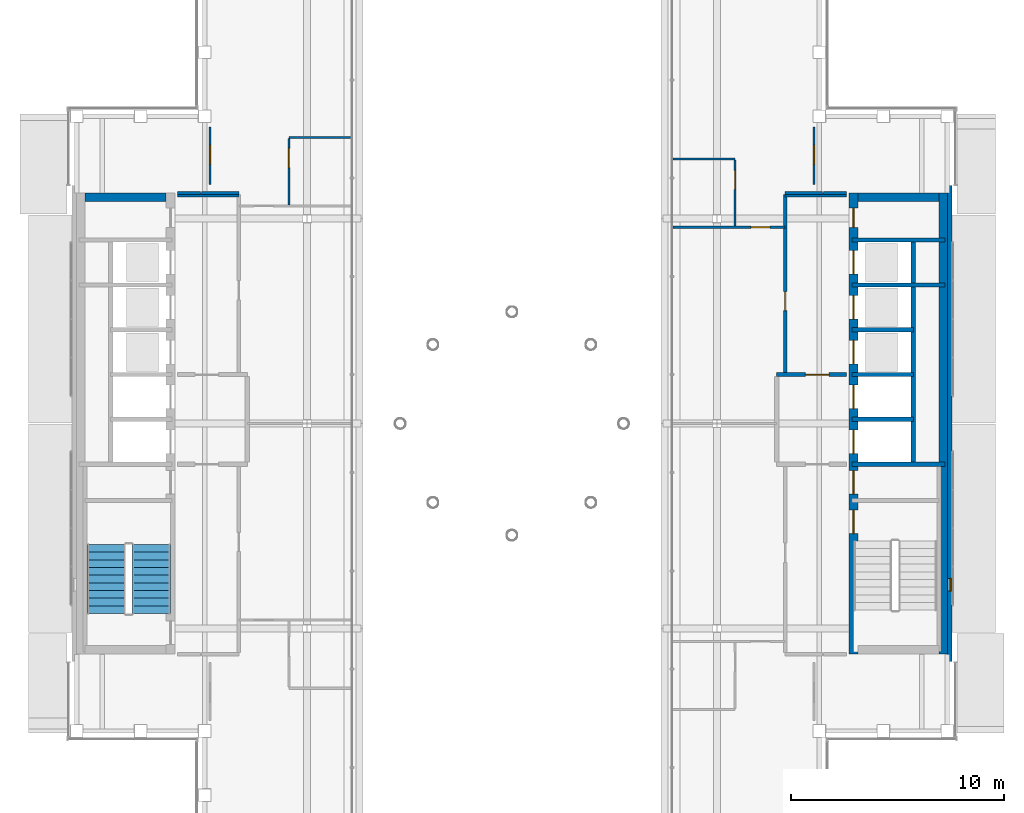
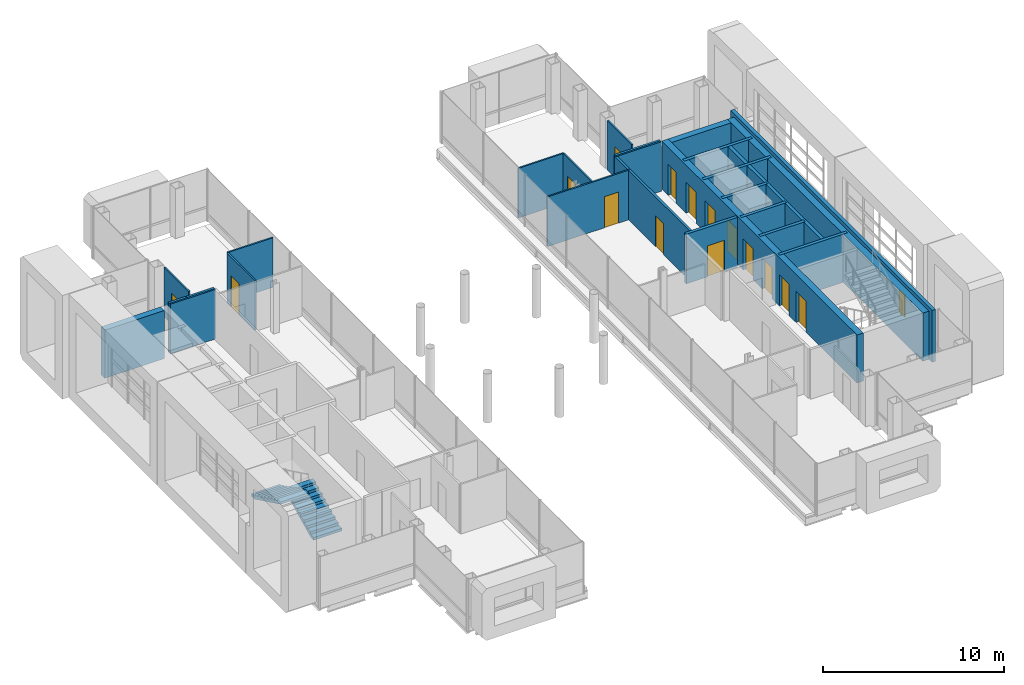
# One storey, part 12 of 21: 28 walls, 15 doors, 2 stair flights, 1 window, 16 openings, 1 element without a shape of its own.
"""IFC4 building model written with IfcOpenShell, lengths in metres."""

from ifc_helpers import new_model, si_unit, direction, frame, frame_2d, origin, place, context, subcontext, project, spatial, polyline, rectangle, outline, extrude, material, layer, layer_set, type_object, element, fill, aggregate, save


model = new_model("IFC4")

# Units and contexts
model_context = context("Model", 3, precision=1e-05, world=origin(), true_north=direction((0.0, 1.0)))
body_context = subcontext(model_context, "Body", "Model", "MODEL_VIEW")
ifc_project = project(units=[si_unit("LENGTHUNIT", "METRE"), si_unit("AREAUNIT", "SQUARE_METRE"), si_unit("VOLUMEUNIT", "CUBIC_METRE"), si_unit("PLANEANGLEUNIT", "RADIAN"), si_unit("MASSUNIT", "GRAM", prefix="KILO")], contexts=[model_context])

# Site, building, storey
site_placement = place(None, origin())
site = spatial("IfcSite", under=ifc_project, at=site_placement, CompositionType="ELEMENT")
building_placement = place(site_placement, origin())
building = spatial("IfcBuilding", under=site, at=building_placement, Name="Cobrizo Arcos Hotel Tower", CompositionType="ELEMENT")
storey_placement = place(building_placement, frame((0.0, 0.0, 269.0)))
storey = spatial("IfcBuildingStorey", under=building, at=storey_placement, Name="L71", CompositionType="ELEMENT", Elevation=269.0)

# Walls
ifc_material_1 = material(Name="Gypsum board partition")
ifc_layer_1 = layer(ifc_material_1, 0.14990234375)
ifc_layer_set_1 = layer_set([ifc_layer_1], Name="Corridor wall EI 60 150")
wall_type_1 = type_object("IfcWallType", Name="Corridor wall EI 60 150", PredefinedType="PARTITIONING", material=ifc_layer_set_1)
for number, where, z_axis, x_axis, name in (
    (1, (-15.679931640625, 10.699951171875, 0.0), (0.0, 0.0, 1.0), (1.0, 0.0, 0.0), "Partition 035"),
    (2, (12.800048828125, 10.699951171875, 0.0), (0.0, 0.0, 1.0), (1.0, 0.0, 0.0), "Partition 036"),
):
    element("IfcWall", number, at=place(storey_placement, frame(where, z_axis=z_axis, x_axis=x_axis)), inside=storey, type_object=wall_type_1, Name=name, PredefinedType="PARTITIONING", context=body_context, shape_type="SweptSolid", body=[
        extrude(rectangle(XDim=2.8798828125, YDim=0.14990234375, at=frame_2d((1.43994140625, 0.0))), origin(), (0.0, 0.0, 1.0), 3.35009765625),
    ])
wall_1_placement = place(storey_placement, frame((-15.679931640625, 10.800048828125, 0.0), z_axis=(0.0, 0.0, 1.0), x_axis=(1.0, 0.0, 0.0)))
element("IfcWall", 3, at=wall_1_placement, inside=storey, type_object=wall_type_1, Name="Partition 037", PredefinedType="PARTITIONING", context=body_context, shape_type="SweptSolid", body=[
    extrude(rectangle(XDim=1.079833984375, YDim=0.14990234375, at=frame_2d((0.5400390625, 0.0))), origin(), (0.0, 0.0, 1.0), 3.35009765625),
])
for number, where, z_axis, x_axis, name in (
    (4, (-14.550048828125, 10.800048828125, 0.0), (0.0, 0.0, 1.0), (1.0, 0.0, 0.0), "Partition 038"),
    (5, (12.800048828125, 10.800048828125, 0.0), (0.0, 0.0, 1.0), (1.0, 0.0, 0.0), "Partition 039"),
):
    element("IfcWall", number, at=place(storey_placement, frame(where, z_axis=z_axis, x_axis=x_axis)), inside=storey, type_object=wall_type_1, Name=name, PredefinedType="PARTITIONING", context=body_context, shape_type="SweptSolid", body=[
        extrude(rectangle(XDim=1.75, YDim=0.14990234375, at=frame_2d((0.875, 0.0))), origin(), (0.0, 0.0, 1.0), 3.35009765625),
    ])
wall_2_placement = place(storey_placement, frame((14.60009765625, 10.800048828125, 0.0), z_axis=(0.0, 0.0, 1.0), x_axis=(1.0, 0.0, 0.0)))
element("IfcWall", 6, at=wall_2_placement, inside=storey, type_object=wall_type_1, Name="Partition 040", PredefinedType="PARTITIONING", context=body_context, shape_type="SweptSolid", body=[
    extrude(rectangle(XDim=1.079833984375, YDim=0.14990234375, at=frame_2d((0.5400390625, 0.0))), origin(), (0.0, 0.0, 1.0), 3.35009765625),
])

# Wall, opening, door
wall_3_placement = place(storey_placement, frame((12.800048828125, 2.39990234375, 0.0), z_axis=(0.0, 0.0, 1.0), x_axis=(0.0, 1.0, 0.0)))
wall_3 = element("IfcWall", 7, at=wall_3_placement, inside=storey, type_object=wall_type_1, Name="Partition 057", PredefinedType="PARTITIONING", context=body_context, shape_type="SweptSolid", body=[
    extrude(rectangle(XDim=8.3251953125, YDim=0.14990234375, at=frame_2d((4.16259765625, 0.0))), origin(), (0.0, 0.0, 1.0), 3.35009765625),
])
opening_1_placement = place(wall_3_placement, frame((2.889892578125, 0.0, 0.0)))
opening_1 = element("IfcOpeningElement", 8, at=opening_1_placement, cuts=wall_3, Name="Opening RD-03", PredefinedType="OPENING", context=body_context, shape_type="SweptSolid", body=[
    extrude(rectangle(XDim=0.89990234375, YDim=2.10009765625, at=frame_2d((0.449951171875, 1.050048828125))), frame((0.0, 0.0869140625, 0.0), z_axis=(0.0, -1.0, 0.0), x_axis=(1.0, 0.0, 0.0)), (0.0, 0.0, 1.0), 0.173828125),
])
ifc_material_2 = material(Name="Timber door leaf", Category="wood")
door_type_1 = type_object("IfcDoorType", Name="Room door FD30 900x2100", OperationType="SINGLE_SWING_LEFT", PredefinedType="DOOR", material=ifc_material_2)
door_1_placement = place(opening_1_placement, origin())
door_1 = element("IfcDoor", 9, at=door_1_placement, inside=storey, type_object=door_type_1, Name="Door RD-03", OperationType="SINGLE_SWING_LEFT", OverallHeight=2.10009765625, OverallWidth=0.89990234375, PredefinedType="DOOR", context=body_context, shape_type="SweptSolid", body=[
    extrude(rectangle(XDim=0.89990234375, YDim=2.10009765625, at=frame_2d((0.449951171875, 1.050048828125))), frame((0.0, 0.02490234375, 0.0), z_axis=(0.0, -1.0, 0.0), x_axis=(1.0, 0.0, 0.0)), (0.0, 0.0, 1.0), 0.050048828125),
])
fill(opening_1, door_1)

# Wall, opening, window
ifc_material_3 = material(Name="Aluminium composite panel pale metal", Category="aluminium")
ifc_layer_2 = layer(ifc_material_3, 0.22509765625)
ifc_layer_set_2 = layer_set([ifc_layer_2], Name="EW-1 insulated panel wall 225")
wall_type_2 = type_object("IfcWallType", Name="EW-1 insulated panel wall 225", PredefinedType="SOLIDWALL", material=ifc_layer_set_2)
wall_4_placement = place(storey_placement, frame((20.512451171875, -11.14990234375, 0.0), z_axis=(0.0, 0.0, 1.0), x_axis=(0.0, 1.0, 0.0)))
wall_4 = element("IfcWall", 10, at=wall_4_placement, inside=storey, type_object=wall_type_2, Name="Core face wall L71 E", PredefinedType="SOLIDWALL", context=body_context, shape_type="SweptSolid", body=[
    extrude(rectangle(XDim=22.2998046875, YDim=0.22509765625, at=frame_2d((11.14990234375, 0.0))), origin(), (0.0, 0.0, 1.0), 3.5),
])
opening_2_placement = place(wall_4_placement, frame((3.300048828125, 0.0, 1.0)))
opening_2 = element("IfcOpeningElement", 11, at=opening_2_placement, cuts=wall_4, Name="Opening W-161", PredefinedType="OPENING", context=body_context, shape_type="SweptSolid", body=[
    extrude(rectangle(XDim=0.60009765625, YDim=1.5, at=frame_2d((0.300048828125, 0.75))), frame((0.0, 0.12451171875, 0.0), z_axis=(0.0, -1.0, 0.0), x_axis=(1.0, 0.0, 0.0)), (0.0, 0.0, 1.0), 0.2490234375),
])
ifc_material_4 = material(Name="Aluminium 6063-T6 and clear laminated glass", Category="aluminium")
window_type = type_object("IfcWindowType", Name="W-C1 core stair slot window 600x1500", PartitioningType="SINGLE_PANEL", PredefinedType="WINDOW", material=ifc_material_4)
window_placement = place(opening_2_placement, origin())
window = element("IfcWindow", 12, at=window_placement, inside=storey, type_object=window_type, Name="Core face wall L71 E window W-161", OverallHeight=1.5, OverallWidth=0.60009765625, PartitioningType="SINGLE_PANEL", PredefinedType="WINDOW", context=body_context, shape_type="SweptSolid", body=[
    extrude(rectangle(XDim=0.60009765625, YDim=1.5, at=frame_2d((0.300048828125, 0.75))), frame((0.0, -0.0224609375, 0.0), z_axis=(0.0, -1.0, 0.0), x_axis=(1.0, 0.0, 0.0)), (0.0, 0.0, 1.0), 0.06005859375),
])
fill(opening_2, window)

# Wall, opening, door
ifc_layer_3 = layer(ifc_material_1, 0.10009765625)
ifc_layer_set_3 = layer_set([ifc_layer_3], Name="Partition EI 30 100")
wall_type_3 = type_object("IfcWallType", Name="Partition EI 30 100", PredefinedType="PARTITIONING", material=ifc_layer_set_3)
wall_5_placement = place(storey_placement, frame((7.5419921875, 9.199951171875, 0.0), z_axis=(0.0, 0.0, 1.0), x_axis=(1.0, 0.0, 0.0)))
wall_5 = element("IfcWall", 13, at=wall_5_placement, inside=storey, type_object=wall_type_3, Name="Partition 033", PredefinedType="PARTITIONING", context=body_context, shape_type="SweptSolid", body=[
    extrude(rectangle(XDim=5.258056640625, YDim=0.10009765625, at=frame_2d((2.62890625, 0.0))), origin(), (0.0, 0.0, 1.0), 3.35009765625),
])
opening_3_placement = place(wall_5_placement, frame((3.64404296875, 0.0, 0.0)))
opening_3 = element("IfcOpeningElement", 14, at=opening_3_placement, cuts=wall_5, Name="Opening RD-04", PredefinedType="OPENING", context=body_context, shape_type="SweptSolid", body=[
    extrude(rectangle(XDim=0.89990234375, YDim=2.10009765625, at=frame_2d((0.449951171875, 1.050048828125))), frame((0.0, 0.06201171875, 0.0), z_axis=(0.0, -1.0, 0.0), x_axis=(1.0, 0.0, 0.0)), (0.0, 0.0, 1.0), 0.1240234375),
])
door_2_placement = place(opening_3_placement, origin())
door_2 = element("IfcDoor", 15, at=door_2_placement, inside=storey, type_object=door_type_1, Name="Door RD-04", OperationType="SINGLE_SWING_LEFT", OverallHeight=2.10009765625, OverallWidth=0.89990234375, PredefinedType="DOOR", context=body_context, shape_type="SweptSolid", body=[
    extrude(rectangle(XDim=0.89990234375, YDim=2.10009765625, at=frame_2d((0.449951171875, 1.050048828125))), frame((0.0, 0.02490234375, 0.0), z_axis=(0.0, -1.0, 0.0), x_axis=(1.0, 0.0, 0.0)), (0.0, 0.0, 1.0), 0.050048828125),
])
fill(opening_3, door_2)

# Walls
for number, where, z_axis, x_axis, name in (
    (16, (7.5419921875, 12.39990234375, 0.0), (0.0, 0.0, 1.0), (1.0, 0.0, 0.0), "Partition 041"),
    (17, (-10.449951171875, 13.39990234375, 0.0), (0.0, 0.0, 1.0), (1.0, 0.0, 0.0), "Partition 042"),
):
    element("IfcWall", number, at=place(storey_placement, frame(where, z_axis=z_axis, x_axis=x_axis)), inside=storey, type_object=wall_type_3, Name=name, PredefinedType="PARTITIONING", context=body_context, shape_type="SweptSolid", body=[
        extrude(rectangle(XDim=2.907958984375, YDim=0.10009765625, at=frame_2d((1.4541015625, 0.0))), origin(), (0.0, 0.0, 1.0), 3.35009765625),
    ])

# Wall, opening, door
wall_6_placement = place(storey_placement, frame((-14.14990234375, 11.199951171875, 0.0), z_axis=(0.0, 0.0, 1.0), x_axis=(0.0, 1.0, 0.0)))
wall_6 = element("IfcWall", 18, at=wall_6_placement, inside=storey, type_object=wall_type_3, Name="Partition 047", PredefinedType="PARTITIONING", context=body_context, shape_type="SweptSolid", body=[
    extrude(rectangle(XDim=2.699951171875, YDim=0.10009765625, at=frame_2d((1.35009765625, 0.0))), origin(), (0.0, 0.0, 1.0), 3.35009765625),
])
opening_4_placement = place(wall_6_placement, frame((0.949951171875, 0.0, 0.0)))
opening_4 = element("IfcOpeningElement", 19, at=opening_4_placement, cuts=wall_6, Name="Opening RD-11", PredefinedType="OPENING", context=body_context, shape_type="SweptSolid", body=[
    extrude(rectangle(XDim=0.89990234375, YDim=2.10009765625, at=frame_2d((0.449951171875, 1.050048828125))), frame((0.0, 0.06201171875, 0.0), z_axis=(0.0, -1.0, 0.0), x_axis=(1.0, 0.0, 0.0)), (0.0, 0.0, 1.0), 0.1240234375),
])
door_3_placement = place(opening_4_placement, origin())
door_3 = element("IfcDoor", 20, at=door_3_placement, inside=storey, type_object=door_type_1, Name="Door RD-11", OperationType="SINGLE_SWING_LEFT", OverallHeight=2.10009765625, OverallWidth=0.89990234375, PredefinedType="DOOR", context=body_context, shape_type="SweptSolid", body=[
    extrude(rectangle(XDim=0.89990234375, YDim=2.10009765625, at=frame_2d((0.449951171875, 1.050048828125))), frame((0.0, 0.02490234375, 0.0), z_axis=(0.0, -1.0, 0.0), x_axis=(1.0, 0.0, 0.0)), (0.0, 0.0, 1.0), 0.050048828125),
])
fill(opening_4, door_3)

wall_7_placement = place(storey_placement, frame((-10.449951171875, 10.25, 0.0), z_axis=(0.0, 0.0, 1.0), x_axis=(0.0, 1.0, 0.0)))
wall_7 = element("IfcWall", 21, at=wall_7_placement, inside=storey, type_object=wall_type_3, Name="Partition 052", PredefinedType="PARTITIONING", context=body_context, shape_type="SweptSolid", body=[
    extrude(rectangle(XDim=3.10009765625, YDim=0.10009765625, at=frame_2d((1.550048828125, 0.0))), origin(), (0.0, 0.0, 1.0), 3.35009765625),
])
opening_5_placement = place(wall_7_placement, frame((1.739990234375, 0.0, 0.0)))
opening_5 = element("IfcOpeningElement", 22, at=opening_5_placement, cuts=wall_7, Name="Opening ED-03", PredefinedType="OPENING", context=body_context, shape_type="SweptSolid", body=[
    extrude(rectangle(XDim=0.89990234375, YDim=2.10009765625, at=frame_2d((0.449951171875, 1.050048828125))), frame((0.0, 0.06201171875, 0.0), z_axis=(0.0, -1.0, 0.0), x_axis=(1.0, 0.0, 0.0)), (0.0, 0.0, 1.0), 0.1240234375),
])
door_type_2 = type_object("IfcDoorType", Name="En-suite door 900x2100", OperationType="SINGLE_SWING_LEFT", PredefinedType="DOOR", material=ifc_material_2)
door_4_placement = place(opening_5_placement, origin())
door_4 = element("IfcDoor", 23, at=door_4_placement, inside=storey, type_object=door_type_2, Name="Door ED-03", OperationType="SINGLE_SWING_RIGHT", OverallHeight=2.10009765625, OverallWidth=0.89990234375, PredefinedType="DOOR", context=body_context, shape_type="SweptSolid", body=[
    extrude(rectangle(XDim=0.89990234375, YDim=2.10009765625, at=frame_2d((0.449951171875, 1.050048828125))), frame((0.0, 0.02490234375, 0.0), z_axis=(0.0, -1.0, 0.0), x_axis=(1.0, 0.0, 0.0)), (0.0, 0.0, 1.0), 0.050048828125),
])
fill(opening_5, door_4)

wall_8_placement = place(storey_placement, frame((10.449951171875, 9.25, 0.0), z_axis=(0.0, 0.0, 1.0), x_axis=(0.0, 1.0, 0.0)))
wall_8 = element("IfcWall", 24, at=wall_8_placement, inside=storey, type_object=wall_type_3, Name="Partition 054", PredefinedType="PARTITIONING", context=body_context, shape_type="SweptSolid", body=[
    extrude(rectangle(XDim=3.10009765625, YDim=0.10009765625, at=frame_2d((1.550048828125, 0.0))), origin(), (0.0, 0.0, 1.0), 3.35009765625),
])
opening_6_placement = place(wall_8_placement, frame((1.719970703125, 0.0, 0.0)))
opening_6 = element("IfcOpeningElement", 25, at=opening_6_placement, cuts=wall_8, Name="Opening ED-01", PredefinedType="OPENING", context=body_context, shape_type="SweptSolid", body=[
    extrude(rectangle(XDim=0.89990234375, YDim=2.10009765625, at=frame_2d((0.449951171875, 1.050048828125))), frame((0.0, 0.06201171875, 0.0), z_axis=(0.0, -1.0, 0.0), x_axis=(1.0, 0.0, 0.0)), (0.0, 0.0, 1.0), 0.1240234375),
])
door_5_placement = place(opening_6_placement, origin())
door_5 = element("IfcDoor", 26, at=door_5_placement, inside=storey, type_object=door_type_2, Name="Door ED-01", OperationType="SINGLE_SWING_RIGHT", OverallHeight=2.10009765625, OverallWidth=0.89990234375, PredefinedType="DOOR", context=body_context, shape_type="SweptSolid", body=[
    extrude(rectangle(XDim=0.89990234375, YDim=2.10009765625, at=frame_2d((0.449951171875, 1.050048828125))), frame((0.0, 0.02490234375, 0.0), z_axis=(0.0, -1.0, 0.0), x_axis=(1.0, 0.0, 0.0)), (0.0, 0.0, 1.0), 0.050048828125),
])
fill(opening_6, door_5)

wall_9_placement = place(storey_placement, frame((14.14990234375, 11.199951171875, 0.0), z_axis=(0.0, 0.0, 1.0), x_axis=(0.0, 1.0, 0.0)))
wall_9 = element("IfcWall", 27, at=wall_9_placement, inside=storey, type_object=wall_type_3, Name="Partition 059", PredefinedType="PARTITIONING", context=body_context, shape_type="SweptSolid", body=[
    extrude(rectangle(XDim=2.699951171875, YDim=0.10009765625, at=frame_2d((1.35009765625, 0.0))), origin(), (0.0, 0.0, 1.0), 3.35009765625),
])
opening_7_placement = place(wall_9_placement, frame((0.949951171875, 0.0, 0.0)))
opening_7 = element("IfcOpeningElement", 28, at=opening_7_placement, cuts=wall_9, Name="Opening RD-05", PredefinedType="OPENING", context=body_context, shape_type="SweptSolid", body=[
    extrude(rectangle(XDim=0.89990234375, YDim=2.10009765625, at=frame_2d((0.449951171875, 1.050048828125))), frame((0.0, 0.06201171875, 0.0), z_axis=(0.0, -1.0, 0.0), x_axis=(1.0, 0.0, 0.0)), (0.0, 0.0, 1.0), 0.1240234375),
])
door_6_placement = place(opening_7_placement, origin())
door_6 = element("IfcDoor", 29, at=door_6_placement, inside=storey, type_object=door_type_1, Name="Door RD-05", OperationType="SINGLE_SWING_LEFT", OverallHeight=2.10009765625, OverallWidth=0.89990234375, PredefinedType="DOOR", context=body_context, shape_type="SweptSolid", body=[
    extrude(rectangle(XDim=0.89990234375, YDim=2.10009765625, at=frame_2d((0.449951171875, 1.050048828125))), frame((0.0, 0.02490234375, 0.0), z_axis=(0.0, -1.0, 0.0), x_axis=(1.0, 0.0, 0.0)), (0.0, 0.0, 1.0), 0.050048828125),
])
fill(opening_7, door_6)

# Wall, openings, doors
ifc_material_5 = material(Name="Concrete f'c 40 MPa", Category="concrete")
ifc_layer_4 = layer(ifc_material_5, 0.39990234375)
ifc_layer_set_4 = layer_set([ifc_layer_4], Name="RC core wall 400 f'c 40")
wall_type_4 = type_object("IfcWallType", Name="RC core wall 400 f'c 40", PredefinedType="SHEAR", material=ifc_layer_set_4)
wall_10_placement = place(storey_placement, frame((16.0, -10.800048828125, 0.0), z_axis=(0.0, 0.0, 1.0), x_axis=(0.0, 1.0, 0.0)))
wall_10 = element("IfcWall", 30, at=wall_10_placement, inside=storey, type_object=wall_type_4, Name="Core wall CW4, east core, inner face, L71", PredefinedType="SHEAR", context=body_context, shape_type="SweptSolid", body=[
    extrude(rectangle(XDim=21.60009765625, YDim=0.39990234375, at=frame_2d((10.800048828125, 0.0))), origin(), (0.0, 0.0, 1.0), 3.25),
])
opening_8_placement = place(wall_10_placement, frame((9.39990234375, 0.0, 0.0)))
opening_8 = element("IfcOpeningElement", 31, at=opening_8_placement, cuts=wall_10, Name="Opening LD-06", PredefinedType="OPENING", context=body_context, shape_type="SweptSolid", body=[
    extrude(rectangle(XDim=1.10009765625, YDim=2.10009765625, at=frame_2d((0.550048828125, 1.050048828125))), frame((0.0, 0.2119140625, 0.0), z_axis=(0.0, -1.0, 0.0), x_axis=(1.0, 0.0, 0.0)), (0.0, 0.0, 1.0), 0.423828125),
])
opening_9_placement = place(wall_10_placement, frame((11.5, 0.0, 0.0)))
opening_9 = element("IfcOpeningElement", 32, at=opening_9_placement, cuts=wall_10, Name="Opening LD-07", PredefinedType="OPENING", context=body_context, shape_type="SweptSolid", body=[
    extrude(rectangle(XDim=1.10009765625, YDim=2.10009765625, at=frame_2d((0.550048828125, 1.050048828125))), frame((0.0, 0.2119140625, 0.0), z_axis=(0.0, -1.0, 0.0), x_axis=(1.0, 0.0, 0.0)), (0.0, 0.0, 1.0), 0.423828125),
])
opening_10_placement = place(wall_10_placement, frame((13.60009765625, 0.0, 0.0)))
opening_10 = element("IfcOpeningElement", 33, at=opening_10_placement, cuts=wall_10, Name="Opening LD-08", PredefinedType="OPENING", context=body_context, shape_type="SweptSolid", body=[
    extrude(rectangle(XDim=1.10009765625, YDim=2.10009765625, at=frame_2d((0.550048828125, 1.050048828125))), frame((0.0, 0.2119140625, 0.0), z_axis=(0.0, -1.0, 0.0), x_axis=(1.0, 0.0, 0.0)), (0.0, 0.0, 1.0), 0.423828125),
])
opening_11_placement = place(wall_10_placement, frame((15.699951171875, 0.0, 0.0)))
opening_11 = element("IfcOpeningElement", 34, at=opening_11_placement, cuts=wall_10, Name="Opening LD-09", PredefinedType="OPENING", context=body_context, shape_type="SweptSolid", body=[
    extrude(rectangle(XDim=1.10009765625, YDim=2.10009765625, at=frame_2d((0.550048828125, 1.050048828125))), frame((0.0, 0.2119140625, 0.0), z_axis=(0.0, -1.0, 0.0), x_axis=(1.0, 0.0, 0.0)), (0.0, 0.0, 1.0), 0.423828125),
])
opening_12_placement = place(wall_10_placement, frame((17.800048828125, 0.0, 0.0)))
opening_12 = element("IfcOpeningElement", 35, at=opening_12_placement, cuts=wall_10, Name="Opening LD-10", PredefinedType="OPENING", context=body_context, shape_type="SweptSolid", body=[
    extrude(rectangle(XDim=1.10009765625, YDim=2.10009765625, at=frame_2d((0.550048828125, 1.050048828125))), frame((0.0, 0.2119140625, 0.0), z_axis=(0.0, -1.0, 0.0), x_axis=(1.0, 0.0, 0.0)), (0.0, 0.0, 1.0), 0.423828125),
])
opening_13_placement = place(wall_10_placement, frame((5.64208984375, 0.0, 0.0)))
opening_13 = element("IfcOpeningElement", 36, at=opening_13_placement, cuts=wall_10, Name="Opening SD-02", PredefinedType="OPENING", context=body_context, shape_type="SweptSolid", body=[
    extrude(rectangle(XDim=1.10009765625, YDim=2.10009765625, at=frame_2d((0.550048828125, 1.050048828125))), frame((0.0, 0.2119140625, 0.0), z_axis=(0.0, -1.0, 0.0), x_axis=(1.0, 0.0, 0.0)), (0.0, 0.0, 1.0), 0.423828125),
])
opening_14_placement = place(wall_10_placement, frame((7.5, 0.0, 0.0)))
opening_14 = element("IfcOpeningElement", 37, at=opening_14_placement, cuts=wall_10, Name="Opening FD-04", PredefinedType="OPENING", context=body_context, shape_type="SweptSolid", body=[
    extrude(rectangle(XDim=1.10009765625, YDim=2.10009765625, at=frame_2d((0.550048828125, 1.050048828125))), frame((0.0, 0.2119140625, 0.0), z_axis=(0.0, -1.0, 0.0), x_axis=(1.0, 0.0, 0.0)), (0.0, 0.0, 1.0), 0.423828125),
])
opening_15_placement = place(wall_10_placement, frame((20.0, 0.0, 0.0)))
opening_15 = element("IfcOpeningElement", 38, at=opening_15_placement, cuts=wall_10, Name="Opening RD-02", PredefinedType="OPENING", context=body_context, shape_type="SweptSolid", body=[
    extrude(rectangle(XDim=0.89990234375, YDim=2.10009765625, at=frame_2d((0.449951171875, 1.050048828125))), frame((0.0, 0.2119140625, 0.0), z_axis=(0.0, -1.0, 0.0), x_axis=(1.0, 0.0, 0.0)), (0.0, 0.0, 1.0), 0.423828125),
])
ifc_material_6 = material(Name="Steel door leaf", Category="steel")
door_type_3 = type_object("IfcDoorType", Name="Fire door FD60 1100x2100", OperationType="SINGLE_SWING_LEFT", PredefinedType="DOOR", material=ifc_material_6)
door_7_placement = place(opening_14_placement, origin())
door_7 = element("IfcDoor", 39, at=door_7_placement, inside=storey, type_object=door_type_3, Name="Door FD-04", OperationType="SINGLE_SWING_RIGHT", OverallHeight=2.10009765625, OverallWidth=1.10009765625, PredefinedType="DOOR", context=body_context, shape_type="SweptSolid", body=[
    extrude(rectangle(XDim=1.10009765625, YDim=2.10009765625, at=frame_2d((0.550048828125, 1.050048828125))), frame((0.0, 0.02490234375, 0.0), z_axis=(0.0, -1.0, 0.0), x_axis=(1.0, 0.0, 0.0)), (0.0, 0.0, 1.0), 0.050048828125),
])
fill(opening_14, door_7)
door_type_4 = type_object("IfcDoorType", Name="Lift landing door 1100x2100", OperationType="SLIDING_TO_LEFT", PredefinedType="DOOR", material=ifc_material_6)
door_8_placement = place(opening_8_placement, origin())
door_8 = element("IfcDoor", 40, at=door_8_placement, inside=storey, type_object=door_type_4, Name="Lift landing door LD-06", OperationType="SLIDING_TO_LEFT", OverallHeight=2.10009765625, OverallWidth=1.10009765625, PredefinedType="DOOR", context=body_context, shape_type="SweptSolid", body=[
    extrude(rectangle(XDim=1.10009765625, YDim=2.10009765625, at=frame_2d((0.550048828125, 1.050048828125))), frame((0.0, 0.02490234375, 0.0), z_axis=(0.0, -1.0, 0.0), x_axis=(1.0, 0.0, 0.0)), (0.0, 0.0, 1.0), 0.050048828125),
])
fill(opening_8, door_8)
door_9_placement = place(opening_9_placement, origin())
door_9 = element("IfcDoor", 41, at=door_9_placement, inside=storey, type_object=door_type_4, Name="Lift landing door LD-07", OperationType="SLIDING_TO_LEFT", OverallHeight=2.10009765625, OverallWidth=1.10009765625, PredefinedType="DOOR", context=body_context, shape_type="SweptSolid", body=[
    extrude(rectangle(XDim=1.10009765625, YDim=2.10009765625, at=frame_2d((0.550048828125, 1.050048828125))), frame((0.0, 0.02490234375, 0.0), z_axis=(0.0, -1.0, 0.0), x_axis=(1.0, 0.0, 0.0)), (0.0, 0.0, 1.0), 0.050048828125),
])
fill(opening_9, door_9)
door_10_placement = place(opening_10_placement, origin())
door_10 = element("IfcDoor", 42, at=door_10_placement, inside=storey, type_object=door_type_4, Name="Lift landing door LD-08", OperationType="SLIDING_TO_LEFT", OverallHeight=2.10009765625, OverallWidth=1.10009765625, PredefinedType="DOOR", context=body_context, shape_type="SweptSolid", body=[
    extrude(rectangle(XDim=1.10009765625, YDim=2.10009765625, at=frame_2d((0.550048828125, 1.050048828125))), frame((0.0, 0.02490234375, 0.0), z_axis=(0.0, -1.0, 0.0), x_axis=(1.0, 0.0, 0.0)), (0.0, 0.0, 1.0), 0.050048828125),
])
fill(opening_10, door_10)
door_11_placement = place(opening_11_placement, origin())
door_11 = element("IfcDoor", 43, at=door_11_placement, inside=storey, type_object=door_type_4, Name="Lift landing door LD-09", OperationType="SLIDING_TO_LEFT", OverallHeight=2.10009765625, OverallWidth=1.10009765625, PredefinedType="DOOR", context=body_context, shape_type="SweptSolid", body=[
    extrude(rectangle(XDim=1.10009765625, YDim=2.10009765625, at=frame_2d((0.550048828125, 1.050048828125))), frame((0.0, 0.02490234375, 0.0), z_axis=(0.0, -1.0, 0.0), x_axis=(1.0, 0.0, 0.0)), (0.0, 0.0, 1.0), 0.050048828125),
])
fill(opening_11, door_11)
door_12_placement = place(opening_12_placement, origin())
door_12 = element("IfcDoor", 44, at=door_12_placement, inside=storey, type_object=door_type_4, Name="Lift landing door LD-10", OperationType="SLIDING_TO_LEFT", OverallHeight=2.10009765625, OverallWidth=1.10009765625, PredefinedType="DOOR", context=body_context, shape_type="SweptSolid", body=[
    extrude(rectangle(XDim=1.10009765625, YDim=2.10009765625, at=frame_2d((0.550048828125, 1.050048828125))), frame((0.0, 0.02490234375, 0.0), z_axis=(0.0, -1.0, 0.0), x_axis=(1.0, 0.0, 0.0)), (0.0, 0.0, 1.0), 0.050048828125),
])
fill(opening_12, door_12)
door_13_placement = place(opening_15_placement, origin())
door_13 = element("IfcDoor", 45, at=door_13_placement, inside=storey, type_object=door_type_1, Name="Door RD-02", OperationType="SINGLE_SWING_RIGHT", OverallHeight=2.10009765625, OverallWidth=0.89990234375, PredefinedType="DOOR", context=body_context, shape_type="SweptSolid", body=[
    extrude(rectangle(XDim=0.89990234375, YDim=2.10009765625, at=frame_2d((0.449951171875, 1.050048828125))), frame((0.0, 0.02490234375, 0.0), z_axis=(0.0, -1.0, 0.0), x_axis=(1.0, 0.0, 0.0)), (0.0, 0.0, 1.0), 0.050048828125),
])
fill(opening_15, door_13)
door_type_5 = type_object("IfcDoorType", Name="Stair door FD60S 1100x2100", OperationType="SINGLE_SWING_LEFT", PredefinedType="DOOR", material=ifc_material_6)
door_14_placement = place(opening_13_placement, origin())
door_14 = element("IfcDoor", 46, at=door_14_placement, inside=storey, type_object=door_type_5, Name="Door SD-02", OperationType="SINGLE_SWING_RIGHT", OverallHeight=2.10009765625, OverallWidth=1.10009765625, PredefinedType="DOOR", context=body_context, shape_type="SweptSolid", body=[
    extrude(rectangle(XDim=1.10009765625, YDim=2.10009765625, at=frame_2d((0.550048828125, 1.050048828125))), frame((0.0, 0.02490234375, 0.0), z_axis=(0.0, -1.0, 0.0), x_axis=(1.0, 0.0, 0.0)), (0.0, 0.0, 1.0), 0.050048828125),
])
fill(opening_13, door_14)

# Walls
wall_11_placement = place(storey_placement, frame((20.199951171875, -10.800048828125, 0.0), z_axis=(0.0, 0.0, 1.0), x_axis=(0.0, 1.0, 0.0)))
element("IfcWall", 47, at=wall_11_placement, inside=storey, type_object=wall_type_4, Name="Core wall CW4, east core, outer face, L71", PredefinedType="SHEAR", context=body_context, shape_type="SweptSolid", body=[
    extrude(rectangle(XDim=21.60009765625, YDim=0.39990234375, at=frame_2d((10.800048828125, 0.0))), origin(), (0.0, 0.0, 1.0), 3.25),
])
for number, where, z_axis, x_axis, name in (
    (48, (16.199951171875, 10.60009765625, 0.0), (0.0, 0.0, 1.0), (1.0, 0.0, 0.0), "Core wall CW4, east core, north end, L71"),
    (49, (-20.0, 10.60009765625, 0.0), (0.0, 0.0, 1.0), (1.0, 0.0, 0.0), "Core wall CW4, west core, north end, L71"),
):
    element("IfcWall", number, at=place(storey_placement, frame(where, z_axis=z_axis, x_axis=x_axis)), inside=storey, type_object=wall_type_4, Name=name, PredefinedType="SHEAR", context=body_context, shape_type="SweptSolid", body=[
        extrude(rectangle(XDim=3.800048828125, YDim=0.39990234375, at=frame_2d((1.89990234375, 0.0))), origin(), (0.0, 0.0, 1.0), 3.25),
    ])
ifc_layer_5 = layer(ifc_material_1, 0.199951171875)
ifc_layer_set_5 = layer_set([ifc_layer_5], Name="Shaft wall EI 120 200")
wall_type_5 = type_object("IfcWallType", Name="Shaft wall EI 120 200", PredefinedType="PARTITIONING", material=ifc_layer_set_5)
wall_12_placement = place(storey_placement, frame((15.919921875, -1.89990234375, 0.0), z_axis=(0.0, 0.0, 1.0), x_axis=(1.0, 0.0, 0.0)))
element("IfcWall", 50, at=wall_12_placement, inside=storey, type_object=wall_type_5, Name="Partition 014", PredefinedType="PARTITIONING", context=body_context, shape_type="SweptSolid", body=[
    extrude(rectangle(XDim=4.360107421875, YDim=0.199951171875, at=frame_2d((2.18017578125, 0.0))), origin(), (0.0, 0.0, 1.0), 3.25),
])
wall_13_placement = place(storey_placement, frame((15.919921875, 0.199951171875, 0.0), z_axis=(0.0, 0.0, 1.0), x_axis=(1.0, 0.0, 0.0)))
element("IfcWall", 51, at=wall_13_placement, inside=storey, type_object=wall_type_5, Name="Partition 022", PredefinedType="PARTITIONING", context=body_context, shape_type="SweptSolid", body=[
    extrude(rectangle(XDim=2.880126953125, YDim=0.199951171875, at=frame_2d((1.43994140625, 0.0))), origin(), (0.0, 0.0, 1.0), 3.25),
])

# Wall, opening, door
wall_14_placement = place(storey_placement, frame((12.39990234375, 2.300048828125, 0.0), z_axis=(0.0, 0.0, 1.0), x_axis=(1.0, 0.0, 0.0)))
wall_14 = element("IfcWall", 52, at=wall_14_placement, inside=storey, type_object=wall_type_5, Name="Partition 025", PredefinedType="PARTITIONING", context=body_context, shape_type="SweptSolid", body=[
    extrude(rectangle(XDim=3.280029296875, YDim=0.199951171875, at=frame_2d((1.64013671875, 0.0))), origin(), (0.0, 0.0, 1.0), 3.35009765625),
])
opening_16_placement = place(wall_14_placement, frame((1.340087890625, 0.0, 0.0)))
opening_16 = element("IfcOpeningElement", 53, at=opening_16_placement, cuts=wall_14, Name="Opening FD-05", PredefinedType="OPENING", context=body_context, shape_type="SweptSolid", body=[
    extrude(rectangle(XDim=1.10009765625, YDim=2.10009765625, at=frame_2d((0.550048828125, 1.050048828125))), frame((0.0, 0.112060546875, 0.0), z_axis=(0.0, -1.0, 0.0), x_axis=(1.0, 0.0, 0.0)), (0.0, 0.0, 1.0), 0.223876953125),
])
door_15_placement = place(opening_16_placement, origin())
door_15 = element("IfcDoor", 54, at=door_15_placement, inside=storey, type_object=door_type_3, Name="Door FD-05", OperationType="SINGLE_SWING_LEFT", OverallHeight=2.10009765625, OverallWidth=1.10009765625, PredefinedType="DOOR", context=body_context, shape_type="SweptSolid", body=[
    extrude(rectangle(XDim=1.10009765625, YDim=2.10009765625, at=frame_2d((0.550048828125, 1.050048828125))), frame((0.0, 0.02490234375, 0.0), z_axis=(0.0, -1.0, 0.0), x_axis=(1.0, 0.0, 0.0)), (0.0, 0.0, 1.0), 0.050048828125),
])
fill(opening_16, door_15)

# Walls
for number, where, z_axis, x_axis, name in (
    (55, (15.919921875, 2.300048828125, 0.0), (0.0, 0.0, 1.0), (1.0, 0.0, 0.0), "Partition 026"),
    (56, (15.919921875, 4.39990234375, 0.0), (0.0, 0.0, 1.0), (1.0, 0.0, 0.0), "Partition 028"),
):
    element("IfcWall", number, at=place(storey_placement, frame(where, z_axis=z_axis, x_axis=x_axis)), inside=storey, type_object=wall_type_5, Name=name, PredefinedType="PARTITIONING", context=body_context, shape_type="SweptSolid", body=[
        extrude(rectangle(XDim=2.880126953125, YDim=0.199951171875, at=frame_2d((1.43994140625, 0.0))), origin(), (0.0, 0.0, 1.0), 3.25),
    ])
for number, where, z_axis, x_axis, name in (
    (57, (15.919921875, 6.5, 0.0), (0.0, 0.0, 1.0), (1.0, 0.0, 0.0), "Partition 030"),
    (58, (15.919921875, 8.60009765625, 0.0), (0.0, 0.0, 1.0), (1.0, 0.0, 0.0), "Partition 032"),
):
    element("IfcWall", number, at=place(storey_placement, frame(where, z_axis=z_axis, x_axis=x_axis)), inside=storey, type_object=wall_type_5, Name=name, PredefinedType="PARTITIONING", context=body_context, shape_type="SweptSolid", body=[
        extrude(rectangle(XDim=4.360107421875, YDim=0.199951171875, at=frame_2d((2.18017578125, 0.0))), origin(), (0.0, 0.0, 1.0), 3.25),
    ])
wall_15_placement = place(storey_placement, frame((18.800048828125, -1.800048828125, 0.0), z_axis=(0.0, 0.0, 1.0), x_axis=(0.0, 1.0, 0.0)))
element("IfcWall", 59, at=wall_15_placement, inside=storey, type_object=wall_type_5, Name="Partition 060", PredefinedType="PARTITIONING", context=body_context, shape_type="SweptSolid", body=[
    extrude(rectangle(XDim=8.199951171875, YDim=0.199951171875, at=frame_2d((4.10009765625, 0.0))), origin(), (0.0, 0.0, 1.0), 3.25),
])
wall_16_placement = place(storey_placement, frame((18.800048828125, 6.60009765625, 0.0), z_axis=(0.0, 0.0, 1.0), x_axis=(0.0, 1.0, 0.0)))
element("IfcWall", 60, at=wall_16_placement, inside=storey, type_object=wall_type_5, Name="Partition 061", PredefinedType="PARTITIONING", context=body_context, shape_type="SweptSolid", body=[
    extrude(rectangle(XDim=1.89990234375, YDim=0.199951171875, at=frame_2d((0.949951171875, 0.0))), origin(), (0.0, 0.0, 1.0), 3.25),
])

# Stair, stair flights
stair_type = type_object("IfcStairType", Name="Exit stair", PredefinedType="HALF_TURN_STAIR", material=ifc_material_5)
stair_placement = place(storey_placement, origin())
stair = element("IfcStair", 61, at=stair_placement, inside=storey, type_object=stair_type, Name="L71 Exit stair ST-W", PredefinedType="HALF_TURN_STAIR")
stair_flight_type = type_object("IfcStairFlightType", Name="Exit stair flight", PredefinedType="STRAIGHT", material=ifc_material_5)
stair_flight_1_placement = place(storey_placement, frame((-16.89990234375, -8.89990234375, 0.0), z_axis=(0.0, 0.0, 1.0), x_axis=(0.0, 1.0, 0.0)))
stair_flight_1 = element("IfcStairFlight", 62, at=stair_flight_1_placement, type_object=stair_flight_type, Name="ST-W flight 1", NumberOfRisers=10, NumberOfTreads=9, PredefinedType="STRAIGHT", RiserHeight=0.175, TreadLength=0.36, context=body_context, shape_type="SweptSolid", body=[
    extrude(outline(polyline([(0.0, 0.0), (0.0, 0.175048828125), (0.360107421875, 0.175048828125), (0.360107421875, 0.35009765625), (0.719970703125, 0.35009765625), (0.719970703125, 0.52490234375), (1.080078125, 0.52490234375), (1.080078125, 0.699951171875), (1.43994140625, 0.699951171875), (1.43994140625, 0.875), (1.800048828125, 0.875), (1.800048828125, 1.050048828125), (2.159912109375, 1.050048828125), (2.159912109375, 1.22509765625), (2.52001953125, 1.22509765625), (2.52001953125, 1.39990234375), (2.8798828125, 1.39990234375), (2.8798828125, 1.574951171875), (3.239990234375, 1.574951171875), (3.239990234375, 1.75), (3.239990234375, 1.408203125), (0.3427734375, 0.0), (0.0, 0.0)])), frame((0.0, 0.89990234375, 0.0), z_axis=(0.0, -1.0, 0.0), x_axis=(1.0, 0.0, 0.0)), (0.0, 0.0, 1.0), 1.800048828125),
])
stair_flight_2_placement = place(storey_placement, frame((-19.0, -5.659912109375, 1.75), z_axis=(0.0, 0.0, 1.0), x_axis=(0.0, -1.0, 0.0)))
stair_flight_2 = element("IfcStairFlight", 63, at=stair_flight_2_placement, type_object=stair_flight_type, Name="ST-W flight 2", NumberOfRisers=10, NumberOfTreads=9, PredefinedType="STRAIGHT", RiserHeight=0.175, TreadLength=0.36, context=body_context, shape_type="SweptSolid", body=[
    extrude(outline(polyline([(0.0, 0.0), (0.0, 0.175048828125), (0.360107421875, 0.175048828125), (0.360107421875, 0.35009765625), (0.719970703125, 0.35009765625), (0.719970703125, 0.52490234375), (1.080078125, 0.52490234375), (1.080078125, 0.699951171875), (1.43994140625, 0.699951171875), (1.43994140625, 0.875), (1.800048828125, 0.875), (1.800048828125, 1.050048828125), (2.159912109375, 1.050048828125), (2.159912109375, 1.22509765625), (2.52001953125, 1.22509765625), (2.52001953125, 1.39990234375), (2.8798828125, 1.39990234375), (2.8798828125, 1.574951171875), (3.239990234375, 1.574951171875), (3.239990234375, 1.75), (3.239990234375, 1.408203125), (0.3427734375, 0.0), (0.0, 0.0)])), frame((0.0, 0.89990234375, 0.0), z_axis=(0.0, -1.0, 0.0), x_axis=(1.0, 0.0, 0.0)), (0.0, 0.0, 1.0), 1.800048828125),
])
aggregate(stair, [stair_flight_1, stair_flight_2])

save(model, "model.ifc")
